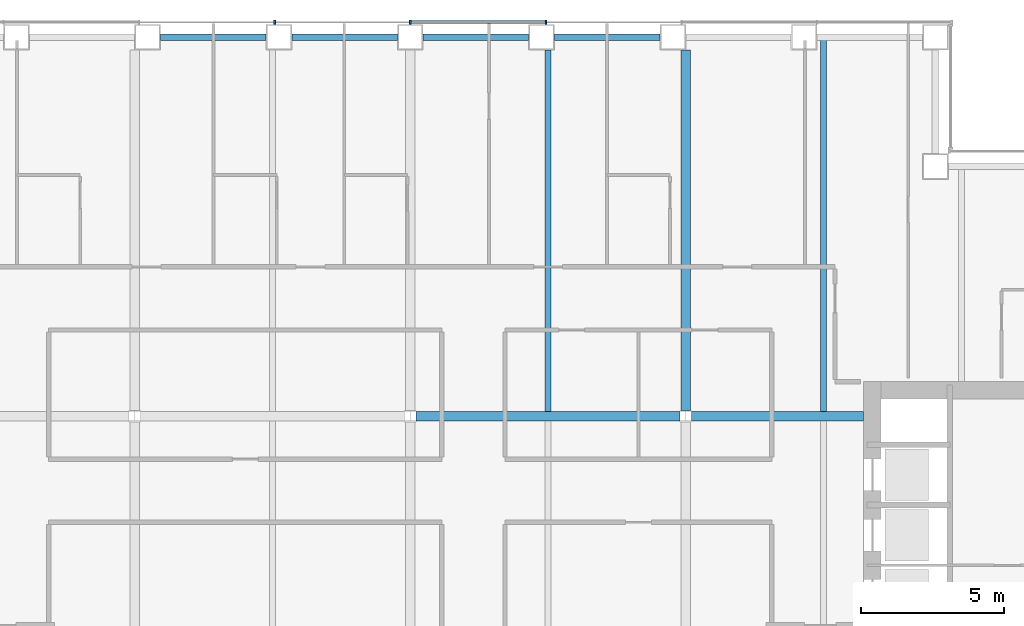
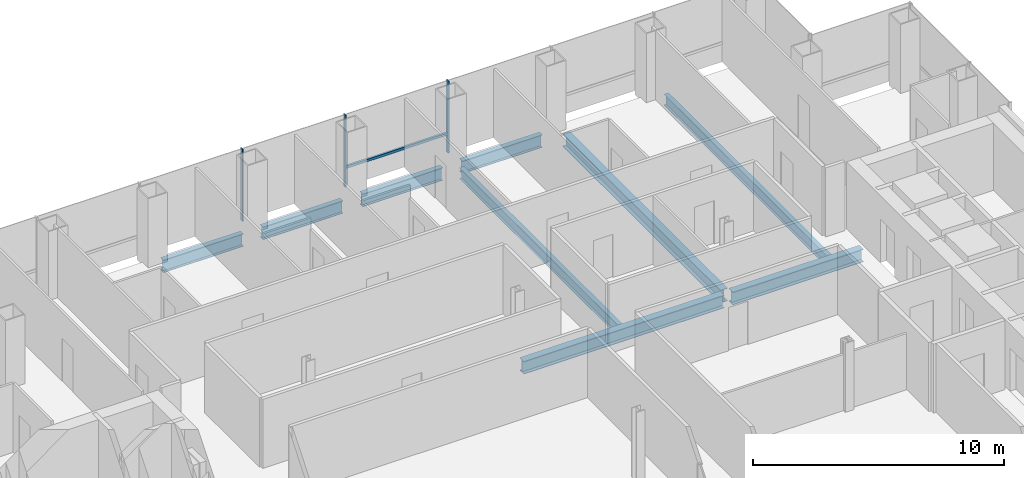
# One storey, part 7 of 16: 9 beams, 4 members, 1 element without a shape of its own.
"""IFC4 building model written with IfcOpenShell, lengths in metres."""

from ifc_helpers import new_model, si_unit, direction, frame, origin, origin_2d, place, context, subcontext, project, spatial, rectangle, i_section, extrude, material, material_profile, profile_set, type_object, element, aggregate, save


model = new_model("IFC4")

# Units and contexts
model_context = context("Model", 3, precision=1e-05, world=origin(), true_north=direction((0.0, 1.0)))
body_context = subcontext(model_context, "Body", "Model", "MODEL_VIEW")
ifc_project = project(units=[si_unit("LENGTHUNIT", "METRE"), si_unit("AREAUNIT", "SQUARE_METRE"), si_unit("VOLUMEUNIT", "CUBIC_METRE"), si_unit("PLANEANGLEUNIT", "RADIAN"), si_unit("MASSUNIT", "GRAM", prefix="KILO")], contexts=[model_context])

# Site, building, storey
site_placement = place(None, origin())
site = spatial("IfcSite", under=ifc_project, at=site_placement, CompositionType="ELEMENT")
building_placement = place(site_placement, origin())
building = spatial("IfcBuilding", under=site, at=building_placement, Name="Cobrizo Arcos Hotel Tower", CompositionType="ELEMENT")
storey_placement = place(building_placement, frame((0.0, 0.0, 92.5)))
storey = spatial("IfcBuildingStorey", under=building, at=storey_placement, Name="L22", CompositionType="ELEMENT", Elevation=92.5)

# Curtain wall, members
ifc_material_1 = material(Name="Aluminium 6063-T6 anodised bronze", Category="aluminium")
curtain_wall_type = type_object("IfcCurtainWallType", Name="CW-A guest facade", PredefinedType="NOTDEFINED", material=ifc_material_1)
curtain_wall_placement = place(storey_placement, origin())
curtain_wall = element("IfcCurtainWall", 1, at=curtain_wall_placement, inside=storey, type_object=curtain_wall_type, Name="CW-A L22 N face", PredefinedType="NOTDEFINED")
ifc_material_profile_1 = material_profile(ifc_material_1, rectangle(XDim=0.14990234375, YDim=0.06005859375, at=origin_2d()), Name="CW-A mullion 150x60")
ifc_profile_set_1 = profile_set([ifc_material_profile_1], Name="Aluminium 6063-T6 anodised bronze")
member_type_1 = type_object("IfcMemberType", Name="CW-A mullion 150x60", PredefinedType="MULLION", material=ifc_profile_set_1)
member_1_placement = place(storey_placement, frame((4.72509765625, 23.324951171875, 0.0), z_axis=(0.0, 0.0, 1.0), x_axis=(0.0, 1.0, 0.0)))
member_1 = element("IfcMember", 2, at=member_1_placement, type_object=member_type_1, Name="CW-A mullion 4", PredefinedType="MULLION", context=body_context, shape_type="SweptSolid", body=[
    extrude(rectangle(XDim=0.14990234375, YDim=0.06005859375, at=origin_2d()), origin(), (0.0, 0.0, 1.0), 3.5),
])
member_2_placement = place(storey_placement, frame((0.0, 23.324951171875, 0.0), z_axis=(0.0, 0.0, 1.0), x_axis=(0.0, 1.0, 0.0)))
member_2 = element("IfcMember", 3, at=member_2_placement, type_object=member_type_1, Name="CW-A mullion 5", PredefinedType="MULLION", context=body_context, shape_type="SweptSolid", body=[
    extrude(rectangle(XDim=0.14990234375, YDim=0.06005859375, at=origin_2d()), origin(), (0.0, 0.0, 1.0), 3.5),
])
member_3_placement = place(storey_placement, frame((-4.72509765625, 23.324951171875, 0.0), z_axis=(0.0, 0.0, 1.0), x_axis=(0.0, 1.0, 0.0)))
member_3 = element("IfcMember", 4, at=member_3_placement, type_object=member_type_1, Name="CW-A mullion 6", PredefinedType="MULLION", context=body_context, shape_type="SweptSolid", body=[
    extrude(rectangle(XDim=0.14990234375, YDim=0.06005859375, at=origin_2d()), origin(), (0.0, 0.0, 1.0), 3.5),
])
ifc_material_profile_2 = material_profile(ifc_material_1, rectangle(XDim=0.10009765625, YDim=0.1201171875, at=origin_2d()), Name="CW-A transom 120x100")
ifc_profile_set_2 = profile_set([ifc_material_profile_2], Name="Aluminium 6063-T6 anodised bronze")
member_type_2 = type_object("IfcMemberType", Name="CW-A transom 120x100", PredefinedType="USERDEFINED", material=ifc_profile_set_2)
member_4_placement = place(storey_placement, frame((4.695068359375, 23.324951171875, 0.929931640625), z_axis=(-1.0, 0.0, 0.0), x_axis=(0.0, -1.0, 0.0)))
member_4 = element("IfcMember", 5, at=member_4_placement, type_object=member_type_2, Name="CW-A transom 902", ObjectType="TRANSOM", PredefinedType="USERDEFINED", context=body_context, shape_type="SweptSolid", body=[
    extrude(rectangle(XDim=0.10009765625, YDim=0.1201171875, at=origin_2d()), origin(), (0.0, 0.0, 1.0), 4.6650390625),
])
aggregate(curtain_wall, [member_1, member_2, member_3, member_4])

# Beams
ifc_material_2 = material(Name="Steel ASTM A992 Grade 50", Category="steel")
ifc_material_profile_3 = material_profile(ifc_material_2, i_section(OverallWidth=0.209228515625, OverallDepth=0.533447265625, WebThickness=0.01025390625, FlangeThickness=0.015625, at=origin_2d()), Name="W21X62")
ifc_profile_set_3 = profile_set([ifc_material_profile_3], Name="Steel ASTM A992 Grade 50")
beam_type_1 = type_object("IfcBeamType", Name="W21X62 joist", PredefinedType="JOIST", material=ifc_profile_set_3)
beam_1_placement = place(storey_placement, frame((4.800048828125, 9.763916015625, -0.416748046875), z_axis=(0.0, 1.0, 0.0), x_axis=(-1.0, 0.0, 0.0)))
element("IfcBeam", 6, at=beam_1_placement, inside=storey, type_object=beam_type_1, Name="Floor joist J1, L22, no. 014", PredefinedType="JOIST", context=body_context, shape_type="SweptSolid", body=[
    extrude(i_section(OverallWidth=0.209228515625, OverallDepth=0.533447265625, WebThickness=0.01025390625, FlangeThickness=0.015625, at=origin_2d()), origin(), (0.0, 0.0, 1.0), 12.586181640625),
])
beam_2_placement = place(storey_placement, frame((14.39990234375, 9.763916015625, -0.416748046875), z_axis=(0.0, 1.0, 0.0), x_axis=(-1.0, 0.0, 0.0)))
element("IfcBeam", 7, at=beam_2_placement, inside=storey, type_object=beam_type_1, Name="Floor joist J1, L22, no. 018", PredefinedType="JOIST", context=body_context, shape_type="SweptSolid", body=[
    extrude(i_section(OverallWidth=0.209228515625, OverallDepth=0.533447265625, WebThickness=0.01025390625, FlangeThickness=0.015625, at=origin_2d()), origin(), (0.0, 0.0, 1.0), 12.946044921875),
])
ifc_material_profile_4 = material_profile(ifc_material_2, i_section(OverallWidth=0.32763671875, OverallDepth=0.622314453125, WebThickness=0.015380859375, FlangeThickness=0.0244140625, at=origin_2d()), Name="W24X131")
ifc_profile_set_4 = profile_set([ifc_material_profile_4], Name="Steel ASTM A992 Grade 50")
beam_type_2 = type_object("IfcBeamType", Name="W24X131 girder", PredefinedType="BEAM", material=ifc_profile_set_4)
beam_3_placement = place(storey_placement, frame((0.199462890625, 9.60009765625, -0.461181640625), z_axis=(1.0, 0.0, 0.0), x_axis=(0.0, 1.0, 0.0)))
element("IfcBeam", 8, at=beam_3_placement, inside=storey, type_object=beam_type_2, Name="Floor girder G1, L22, no. 011", PredefinedType="BEAM", context=body_context, shape_type="SweptSolid", body=[
    extrude(i_section(OverallWidth=0.32763671875, OverallDepth=0.622314453125, WebThickness=0.015380859375, FlangeThickness=0.0244140625, at=origin_2d()), origin(), (0.0, 0.0, 1.0), 9.201171875),
])
beam_4_placement = place(storey_placement, frame((9.79931640625, 9.60009765625, -0.461181640625), z_axis=(1.0, 0.0, 0.0), x_axis=(0.0, 1.0, 0.0)))
element("IfcBeam", 9, at=beam_4_placement, inside=storey, type_object=beam_type_2, Name="Floor girder G1, L22, no. 012", PredefinedType="BEAM", context=body_context, shape_type="SweptSolid", body=[
    extrude(i_section(OverallWidth=0.32763671875, OverallDepth=0.622314453125, WebThickness=0.015380859375, FlangeThickness=0.0244140625, at=origin_2d()), origin(), (0.0, 0.0, 1.0), 5.99072265625),
])
beam_5_placement = place(storey_placement, frame((9.60009765625, 9.79931640625, -0.461181640625), z_axis=(0.0, 1.0, 0.0), x_axis=(-1.0, 0.0, 0.0)))
element("IfcBeam", 10, at=beam_5_placement, inside=storey, type_object=beam_type_2, Name="Floor girder G1, L22, no. 024", PredefinedType="BEAM", context=body_context, shape_type="SweptSolid", body=[
    extrude(i_section(OverallWidth=0.32763671875, OverallDepth=0.622314453125, WebThickness=0.015380859375, FlangeThickness=0.0244140625, at=origin_2d()), origin(), (0.0, 0.0, 1.0), 12.55078125),
])
ifc_material_profile_5 = material_profile(ifc_material_2, i_section(OverallWidth=0.23046875, OverallDepth=0.6171875, WebThickness=0.01318359375, FlangeThickness=0.022216796875, at=origin_2d()), Name="W24X94")
ifc_profile_set_5 = profile_set([ifc_material_profile_5], Name="Steel ASTM A992 Grade 50")
beam_type_3 = type_object("IfcBeamType", Name="W24X94 spandrel", PredefinedType="SPANDREL", material=ifc_profile_set_5)
for number, where, z_axis, x_axis, name in (
    (11, (8.699951171875, 22.800048828125, -0.45849609375), (-1.0, 0.0, 0.0), (0.0, -1.0, 0.0), "Spandrel beam W24X94, L22, no. 019"),
    (12, (4.125, 22.800048828125, -0.45849609375), (-1.0, 0.0, 0.0), (0.0, -1.0, 0.0), "Spandrel beam W24X94, L22, no. 020"),
    (13, (-0.449951171875, 22.800048828125, -0.45849609375), (-1.0, 0.0, 0.0), (0.0, -1.0, 0.0), "Spandrel beam W24X94, L22, no. 021"),
    (14, (-5.02490234375, 22.800048828125, -0.45849609375), (-1.0, 0.0, 0.0), (0.0, -1.0, 0.0), "Spandrel beam W24X94, L22, no. 022"),
):
    element("IfcBeam", number, at=place(storey_placement, frame(where, z_axis=z_axis, x_axis=x_axis)), inside=storey, type_object=beam_type_3, Name=name, PredefinedType="SPANDREL", context=body_context, shape_type="SweptSolid", body=[
        extrude(i_section(OverallWidth=0.23046875, OverallDepth=0.6171875, WebThickness=0.01318359375, FlangeThickness=0.022216796875, at=origin_2d()), origin(), (0.0, 0.0, 1.0), 3.675048828125),
    ])

save(model, "model.ifc")
